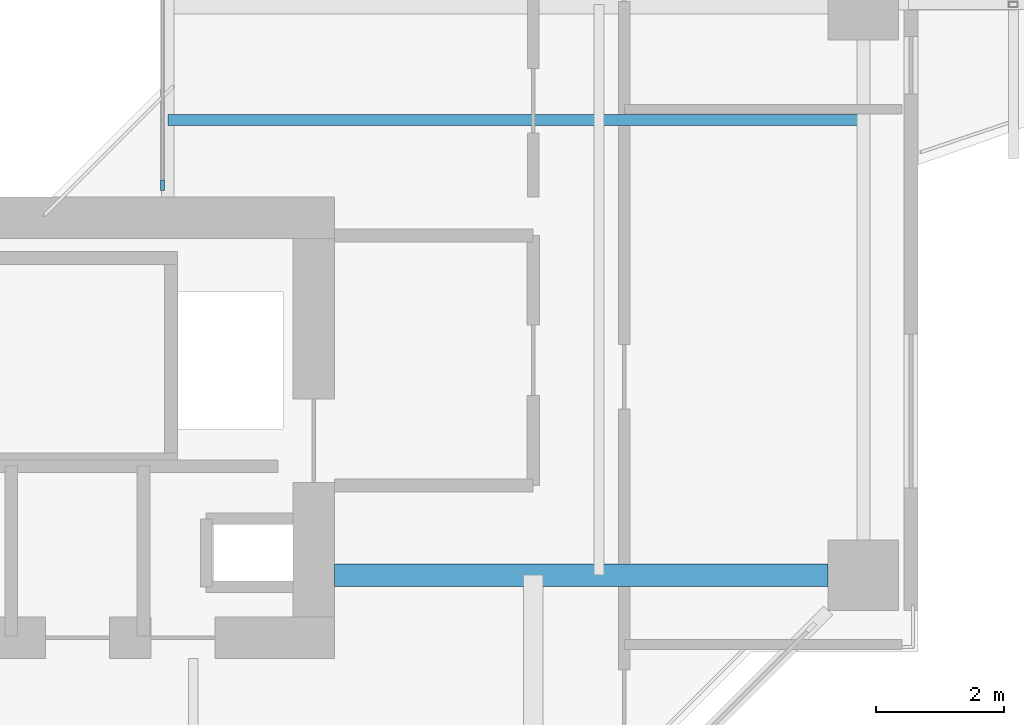
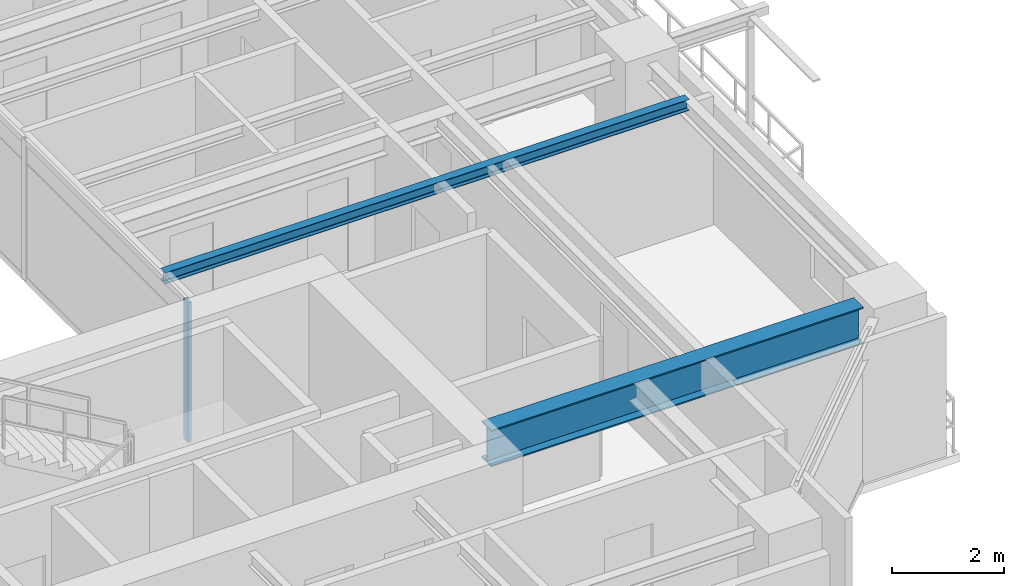
# One storey, part 3 of 24: 2 beams, 1 member, 1 element without a shape of its own.
"""IFC4 building model written with IfcOpenShell, lengths in metres."""

import ifcopenshell
import ifcopenshell.guid

model = None  # the IFC model being written
_history = None  # IfcOwnerHistory: only IFC2X3 demands one
_inside = {}  # id of a spatial element -> (the spatial element, [elements in it])
_under = {}  # id of a project, library or spatial element -> (it, [spatial elements below it])
_declared = {}  # id of a project -> (the project, [libraries it declares])
_typed = {}  # id of a type object -> (the type object, [elements of that type])
_made_of = {}  # id of a material, layer set ... -> (it, [elements and type objects made of it])


def new_model(schema):
    """Start an empty IFC model of exactly this schema.

    Asked for "IFC4X3", IfcOpenShell would pick the latest addendum, in which some entities
    have other attributes; the version numbers below select the first issue.
    IFC2X3 requires an IfcOwnerHistory on every rooted entity: one is made here for all.
    """
    global model, _history
    if schema == "IFC4X3":
        model = ifcopenshell.file(schema_version=(4, 3, 0, 0))
    else:
        model = ifcopenshell.file(schema=schema)
    _inside.clear()
    _under.clear()
    _declared.clear()
    _typed.clear()
    _made_of.clear()
    _history = None
    if model.schema == "IFC2X3":
        org = make("IfcOrganization", Name="unknown")
        user = make(
            "IfcPersonAndOrganization",
            ThePerson=make("IfcPerson", FamilyName="unknown"),
            TheOrganization=org,
        )
        app = make(
            "IfcApplication",
            ApplicationDeveloper=org,
            Version="unknown",
            ApplicationFullName="unknown",
            ApplicationIdentifier="unknown",
        )
        _history = make(
            "IfcOwnerHistory",
            OwningUser=user,
            OwningApplication=app,
            ChangeAction="ADDED",
            CreationDate=0,
        )
    return model


def make(cls, **values):
    """One entity of the class cls with the attributes given. An attribute that is None is left unset."""
    return model.create_entity(
        cls, **{name: value for name, value in values.items() if value is not None}
    )


def rooted(cls, **values):
    """An entity with a GlobalId (a new one), such as an element, a storey or a relation."""
    return make(cls, GlobalId=ifcopenshell.guid.new(), OwnerHistory=_history, **values)


def si_unit(unit_type, name, prefix=None):
    """IfcSIUnit, for example si_unit("LENGTHUNIT", "METRE", prefix="MILLI")."""
    return make("IfcSIUnit", UnitType=unit_type, Prefix=prefix, Name=name)


def assignment(units):
    """IfcUnitAssignment: the units of a project."""
    return None if units is None else make("IfcUnitAssignment", Units=units)


def point(xyz):
    """IfcCartesianPoint."""
    return None if xyz is None else make("IfcCartesianPoint", Coordinates=xyz)


def direction(xyz):
    """IfcDirection."""
    return None if xyz is None else make("IfcDirection", DirectionRatios=xyz)


def frame(location, z_axis=None, x_axis=None):
    """IfcAxis2Placement3D, a coordinate frame: its origin and axes. An axis left out is left unset."""
    return make(
        "IfcAxis2Placement3D",
        Location=point(location),
        Axis=direction(z_axis),
        RefDirection=direction(x_axis),
    )


def frame_2d(location, x_axis=None):
    """IfcAxis2Placement2D, a coordinate frame in the plane: its origin and x axis."""
    return make(
        "IfcAxis2Placement2D", Location=point(location), RefDirection=direction(x_axis)
    )


def origin():
    """The frame at (0, 0, 0) with its axes left unset."""
    return frame((0.0, 0.0, 0.0))


def origin_2d():
    """The frame at (0, 0) in the plane with its x axis left unset."""
    return frame_2d((0.0, 0.0))


def place(relative_to, where):
    """IfcLocalPlacement: puts the frame where relative to a parent placement (None: the world)."""
    return make(
        "IfcLocalPlacement", PlacementRelTo=relative_to, RelativePlacement=where
    )


def context(
    kind, dimensions, precision=None, world=None, true_north=None, identifier=None
):
    """IfcGeometricRepresentationContext, for example the 3D "Model" context."""
    return make(
        "IfcGeometricRepresentationContext",
        ContextIdentifier=identifier,
        ContextType=kind,
        CoordinateSpaceDimension=dimensions,
        Precision=precision,
        WorldCoordinateSystem=world,
        TrueNorth=true_north,
    )


def subcontext(parent, identifier, kind, view, scale=None):
    """IfcGeometricRepresentationSubContext, for example "Body" below "Model"."""
    return make(
        "IfcGeometricRepresentationSubContext",
        ContextIdentifier=identifier,
        ContextType=kind,
        ParentContext=parent,
        TargetScale=scale,
        TargetView=view,
    )


def project(units=None, contexts=None):
    """IfcProject with its units and contexts."""
    return rooted(
        "IfcProject",
        Name="project",
        RepresentationContexts=contexts,
        UnitsInContext=assignment(units),
    )


def spatial(cls, under=None, at=None, **own):
    """A site, building, storey or space (cls), placed at a placement, below another one or the project."""
    s = rooted(cls, ObjectPlacement=at, **own)
    if under is not None:
        _under.setdefault(under.id(), (under, []))[1].append(s)
    return s


def profile(cls, at=None, kind="AREA", **sizes):
    """A parametric profile (cls). Its sizes go by their IFC names, for example OverallWidth=200.0."""
    return make(cls, ProfileType=kind, Position=at, **sizes)


def rectangle(**sizes):
    """IfcRectangleProfileDef."""
    return profile("IfcRectangleProfileDef", **sizes)


def i_section(**sizes):
    """IfcIShapeProfileDef."""
    return profile("IfcIShapeProfileDef", **sizes)


def extrude(swept, where, along, depth):
    """IfcExtrudedAreaSolid: the profile swept, set in the frame where, extruded along a direction by depth."""
    return make(
        "IfcExtrudedAreaSolid",
        SweptArea=swept,
        Position=where,
        ExtrudedDirection=direction(along),
        Depth=depth,
    )


def shape(context_of_items, identifier, shape_type, items):
    """IfcShapeRepresentation: the items that make up one representation, for example the "Body"."""
    return make(
        "IfcShapeRepresentation",
        ContextOfItems=context_of_items,
        RepresentationIdentifier=identifier,
        RepresentationType=shape_type,
        Items=items,
    )


def source(mapping_origin, context_of_items, identifier, shape_type, items):
    """IfcRepresentationMap: a shape defined once, which mapped items show again and again."""
    return make(
        "IfcRepresentationMap",
        MappingOrigin=mapping_origin,
        MappedRepresentation=shape(context_of_items, identifier, shape_type, items),
    )


def transform(
    local_origin,
    x_axis=None,
    y_axis=None,
    z_axis=None,
    scale=None,
    scale2=None,
    scale3=None,
    uniform=True,
):
    """IfcCartesianTransformationOperator3D, or its non-uniform kind. x_axis, y_axis, z_axis: its Axis1, 2, 3."""
    if uniform:
        return make(
            "IfcCartesianTransformationOperator3D",
            Axis1=direction(x_axis),
            Axis2=direction(y_axis),
            LocalOrigin=point(local_origin),
            Scale=scale,
            Axis3=direction(z_axis),
        )
    return make(
        "IfcCartesianTransformationOperator3DnonUniform",
        Axis1=direction(x_axis),
        Axis2=direction(y_axis),
        LocalOrigin=point(local_origin),
        Scale=scale,
        Axis3=direction(z_axis),
        Scale2=scale2,
        Scale3=scale3,
    )


def mapped(mapping_source, mapping_target):
    """IfcMappedItem: shows the shape of a source again, moved by a transform."""
    return make(
        "IfcMappedItem", MappingSource=mapping_source, MappingTarget=mapping_target
    )


def material(Name=None, Category=None):
    """IfcMaterial."""
    return make("IfcMaterial", Name=Name, Category=Category)


def layer(
    of_material, thickness, ventilated=None, Name=None, Category=None, Priority=None
):
    """IfcMaterialLayer: one layer of a wall or slab, of a material (None: an air gap)."""
    return make(
        "IfcMaterialLayer",
        Material=of_material,
        LayerThickness=thickness,
        IsVentilated=ventilated,
        Name=Name,
        Category=Category,
        Priority=Priority,
    )


def layer_set(layers, Name=None):
    """IfcMaterialLayerSet."""
    return make("IfcMaterialLayerSet", MaterialLayers=layers, LayerSetName=Name)


def material_profile(
    of_material, cross_section, Name=None, Category=None, Priority=None
):
    """IfcMaterialProfile: a cross section and its material."""
    return make(
        "IfcMaterialProfile",
        Name=Name,
        Material=of_material,
        Profile=cross_section,
        Priority=Priority,
        Category=Category,
    )


def profile_set(profiles, Name=None, composite=None):
    """IfcMaterialProfileSet."""
    return make(
        "IfcMaterialProfileSet",
        Name=Name,
        MaterialProfiles=profiles,
        CompositeProfile=composite,
    )


def made_of(thing, what):
    """Note that an element or type object is made of a material, layer set ...; save() writes the relation."""
    if what is not None:
        _made_of.setdefault(what.id(), (what, []))[1].append(thing)
    return thing


def type_object(cls, material=None, **own):
    """A type object (cls), such as IfcWallType, which elements share."""
    return made_of(rooted(cls, **own), material)


def element(
    cls,
    number,
    at=None,
    inside=None,
    cuts=None,
    type_object=None,
    material=None,
    context=None,
    identifier="Body",
    shape_type=None,
    held_by="IfcProductDefinitionShape",
    body=None,
    shapes=None,
    **own,
):
    """One element of the class cls, such as IfcWall. Its Tag is "e" and its number.

    at: its placement. inside: the storey or other place that contains it. cuts: it is an
    opening in that element (IfcRelVoidsElement). A single representation is given by context,
    identifier, shape_type and body (its items); several are given by shapes. held_by: the class
    of the entity that holds the representations. save() writes the other relations.
    """
    e = rooted(cls, Tag="e%d" % number, ObjectPlacement=at, **own)
    if body is not None:
        shapes = [shape(context, identifier, shape_type, body)]
    if shapes is not None:
        e.Representation = make(held_by, Representations=shapes)
    if inside is not None:
        _inside.setdefault(inside.id(), (inside, []))[1].append(e)
    if cuts is not None:
        rooted(
            "IfcRelVoidsElement", RelatingBuildingElement=cuts, RelatedOpeningElement=e
        )
    if type_object is not None:
        _typed.setdefault(type_object.id(), (type_object, []))[1].append(e)
    return made_of(e, material)


def aggregate(whole, parts):
    """IfcRelAggregates: a whole, such as a stair, and the parts it consists of."""
    return rooted("IfcRelAggregates", RelatingObject=whole, RelatedObjects=parts)


def save(model, path):
    """Write the relations noted so far, then the file.

    IfcRelAggregates (storeys below a building ...), IfcRelContainedInSpatialStructure (elements
    in a storey), IfcRelDefinesByType, IfcRelAssociatesMaterial and IfcRelDeclares: one each for
    every whole, place, type object, material and project.
    """
    for whole, parts in _under.values():
        aggregate(whole, parts)
    for where, things in _inside.values():
        rooted(
            "IfcRelContainedInSpatialStructure",
            RelatedElements=things,
            RelatingStructure=where,
        )
    for kind, things in _typed.values():
        rooted("IfcRelDefinesByType", RelatedObjects=things, RelatingType=kind)
    for what, things in _made_of.values():
        rooted("IfcRelAssociatesMaterial", RelatedObjects=things, RelatingMaterial=what)
    for by, libraries in _declared.values():
        rooted("IfcRelDeclares", RelatingContext=by, RelatedDefinitions=libraries)
    model.write(path)


model = new_model("IFC4")

# Units and contexts
model_context = context("Model", 3, precision=1e-05, world=origin(), true_north=direction((0.0, 1.0)))
body_context = subcontext(model_context, "Body", "Model", "MODEL_VIEW")
ifc_project = project(units=[si_unit("LENGTHUNIT", "METRE"), si_unit("AREAUNIT", "SQUARE_METRE"), si_unit("VOLUMEUNIT", "CUBIC_METRE"), si_unit("PLANEANGLEUNIT", "RADIAN"), si_unit("MASSUNIT", "GRAM", prefix="KILO"), si_unit("THERMODYNAMICTEMPERATUREUNIT", "KELVIN"), si_unit("POWERUNIT", "WATT")], contexts=[model_context])

# Site, building, storey
site_placement = place(None, origin())
site = spatial("IfcSite", under=ifc_project, at=site_placement, CompositionType="ELEMENT")
building_placement = place(site_placement, origin())
building = spatial("IfcBuilding", under=site, at=building_placement, Name="Qiaomeng Ring Towers", CompositionType="ELEMENT")
storey_placement = place(building_placement, frame((0.0, 0.0, 110.0)))
storey = spatial("IfcBuildingStorey", under=building, at=storey_placement, Name="L31", CompositionType="ELEMENT", Elevation=110.0)

# Beams
ifc_material_1 = material(Name="Steel Q390GJC", Category="steel")
ifc_material_profile_1 = material_profile(ifc_material_1, i_section(OverallWidth=0.35009765625, OverallDepth=0.800048828125, WebThickness=0.01611328125, FlangeThickness=0.028076171875, at=origin_2d()), Name="WH 800x350x16x28")
ifc_profile_set_1 = profile_set([ifc_material_profile_1], Name="Steel Q390GJC")
beam_type_1 = type_object("IfcBeamType", Name="STR-BM-WH800", PredefinedType="BEAM", material=ifc_profile_set_1)
shared_shape_1 = source(origin(), body_context, "Body", "SweptSolid", [
    extrude(i_section(OverallWidth=0.35009765625, OverallDepth=0.800048828125, WebThickness=0.01611328125, FlangeThickness=0.028076171875, at=origin_2d()), origin(), (0.0, 0.0, 1.0), 7.700927734375),
])
beam_1_placement = place(storey_placement, frame((27.800048828125, 11.10009765625, 2.669921875), z_axis=(1.0, 0.0, 0.0), x_axis=(0.0, 1.0, 0.0)))
element("IfcBeam", 1, at=beam_1_placement, inside=storey, type_object=beam_type_1, Name="L31 beam STR-BM-L31-T1-RAD-E1", PredefinedType="BEAM", context=body_context, shape_type="MappedRepresentation", body=[
    mapped(shared_shape_1, transform((0.0, 0.0, 0.0), x_axis=(1.0, 0.0, 0.0), y_axis=(0.0, 1.0, 0.0), z_axis=(0.0, 0.0, 1.0), scale=1.0)),
])
ifc_material_2 = material(Name="Steel Q355B", Category="steel")
ifc_material_profile_2 = material_profile(ifc_material_2, i_section(OverallWidth=0.175048828125, OverallDepth=0.243896484375, WebThickness=0.007080078125, FlangeThickness=0.010986328125, FilletRadius=0.01611328125, at=origin_2d()), Name="HM 244x175x7x11")
ifc_profile_set_2 = profile_set([ifc_material_profile_2], Name="Steel Q355B")
beam_type_2 = type_object("IfcBeamType", Name="STR-BM-HM244", PredefinedType="JOIST", material=ifc_profile_set_2)
shared_shape_2 = source(origin(), body_context, "Body", "SweptSolid", [
    extrude(i_section(OverallWidth=0.175048828125, OverallDepth=0.243896484375, WebThickness=0.007080078125, FlangeThickness=0.010986328125, FilletRadius=0.01611328125, at=origin_2d()), origin(), (0.0, 0.0, 1.0), 10.85009765625),
])
beam_2_placement = place(storey_placement, frame((25.199951171875, 18.199951171875, 2.947998046875), z_axis=(1.0, 0.0, 0.0), x_axis=(0.0, 1.0, 0.0)))
element("IfcBeam", 2, at=beam_2_placement, inside=storey, type_object=beam_type_2, Name="L31 beam STR-JST-L31-T1E-1", PredefinedType="JOIST", context=body_context, shape_type="MappedRepresentation", body=[
    mapped(shared_shape_2, transform((0.0, 0.0, 0.0), x_axis=(1.0, 0.0, 0.0), y_axis=(0.0, 1.0, 0.0), z_axis=(0.0, 0.0, 1.0), scale=1.0)),
])

# Curtain wall, member
ifc_material_3 = material(Name="Fluorocarbon dark-grey aluminium", Category="aluminium")
ifc_layer = layer(ifc_material_3, 0.139892578125, Name="Fluorocarbon dark-grey aluminium")
ifc_layer_set = layer_set([ifc_layer], Name="Fluorocarbon dark-grey aluminium")
curtain_wall_type = type_object("IfcCurtainWallType", Name="ARC-CW-4", PredefinedType="NOTDEFINED", material=ifc_layer_set)
curtain_wall_placement = place(storey_placement, origin())
curtain_wall = element("IfcCurtainWall", 3, at=curtain_wall_placement, inside=storey, type_object=curtain_wall_type, Name="L31 Curtain Wall CW4", PredefinedType="NOTDEFINED")
ifc_material_profile_3 = material_profile(ifc_material_3, rectangle(XDim=0.06494140625, YDim=0.159912109375, at=origin_2d()), Name="ALU MULL 65x160")
ifc_profile_set_3 = profile_set([ifc_material_profile_3], Name="Fluorocarbon dark-grey aluminium")
member_type = type_object("IfcMemberType", Name="ARC-CWM-140", PredefinedType="MULLION", material=ifc_profile_set_3)
shared_shape_3 = source(origin(), body_context, "Body", "SweptSolid", [
    extrude(rectangle(XDim=0.06494140625, YDim=0.159912109375, at=origin_2d()), origin(), (0.0, 0.0, 1.0), 3.070068359375),
])
member_placement = place(storey_placement, frame((25.1201171875, 17.1826171875, 0.0), z_axis=(0.0, 0.0, 1.0), x_axis=(-1.0, 0.0, 0.0)))
member = element("IfcMember", 4, at=member_placement, type_object=member_type, Name="CW4 mullion 1", PredefinedType="MULLION", context=body_context, shape_type="MappedRepresentation", body=[
    mapped(shared_shape_3, transform((0.0, 0.0, 0.0), x_axis=(1.0, 0.0, 0.0), y_axis=(0.0, 1.0, 0.0), z_axis=(0.0, 0.0, 1.0), scale=1.0)),
])
aggregate(curtain_wall, [member])

save(model, "model.ifc")
